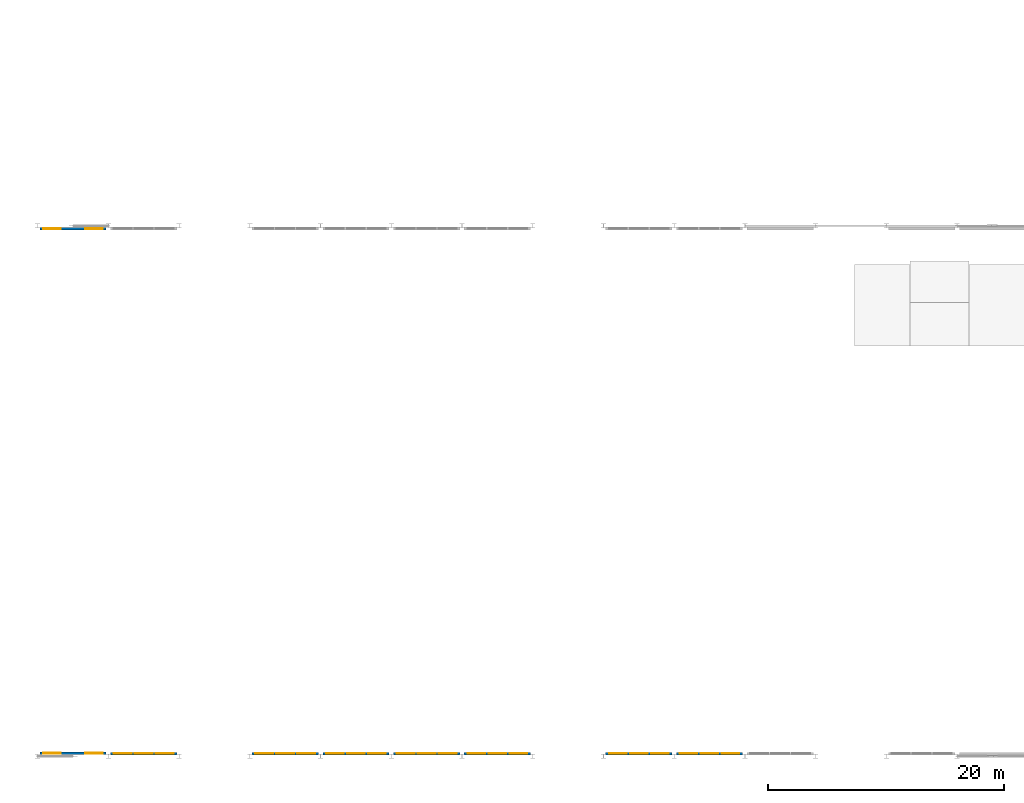
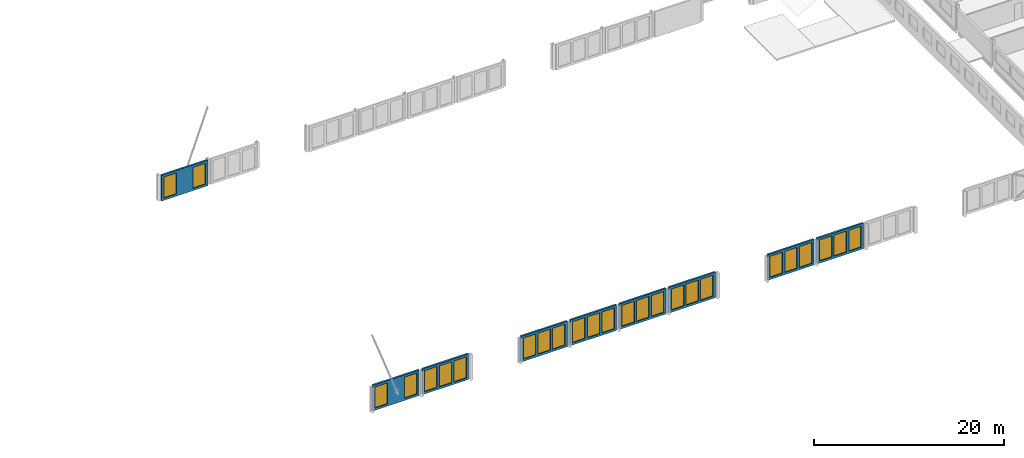
# One storey, part 43 of 198: 25 windows, 9 walls, 25 openings.
"""IFC4 building model written with IfcOpenShell, lengths in metres."""

from ifc_helpers import new_model, si_unit, direction, frame, frame_2d, origin, place, context, subcontext, project, spatial, rectangle, extrude, material, layer, layer_set, type_object, element, fill, save


model = new_model("IFC4")

# Units and contexts
model_context = context("Model", 3, precision=1e-05, world=origin(), true_north=direction((0.0, 1.0)))
body_context = subcontext(model_context, "Body", "Model", "MODEL_VIEW")
ifc_project = project(units=[si_unit("LENGTHUNIT", "METRE"), si_unit("AREAUNIT", "SQUARE_METRE"), si_unit("VOLUMEUNIT", "CUBIC_METRE"), si_unit("PLANEANGLEUNIT", "RADIAN"), si_unit("MASSUNIT", "GRAM", prefix="KILO")], contexts=[model_context])

# Site, building, storey
site_placement = place(None, origin())
site = spatial("IfcSite", under=ifc_project, at=site_placement, CompositionType="ELEMENT")
building_placement = place(site_placement, origin())
building = spatial("IfcBuilding", under=site, at=building_placement, Name="Parallax Yard Mobility Hub", CompositionType="ELEMENT")
storey_placement = place(building_placement, frame((0.0, 0.0, 6.60009765625)))
storey = spatial("IfcBuildingStorey", under=building, at=storey_placement, Name="L02", CompositionType="ELEMENT", Elevation=6.60009765625)

# Wall, openings, windows
ifc_material_1 = material(Name="Concrete fc' 35 MPa", Category="concrete")
ifc_layer = layer(ifc_material_1, 0.219970703125)
ifc_layer_set = layer_set([ifc_layer], Name="Gable panel, Concrete fc' 35 MPa precast, 220")
wall_type = type_object("IfcWallType", Name="Gable panel, Concrete fc' 35 MPa precast, 220", PredefinedType="SOLIDWALL", material=ifc_layer_set)
wall_1_placement = place(storey_placement, frame((9.1865234375, 7.74951171875, 0.0), z_axis=(0.0, 0.0, 1.0), x_axis=(1.0, 0.0, 0.0)))
wall_1 = element("IfcWall", 1, at=wall_1_placement, inside=storey, type_object=wall_type, Name="Bus and taxi deck south gable wall bay 1 level L02", PredefinedType="SOLIDWALL", context=body_context, shape_type="SweptSolid", body=[
    extrude(rectangle(XDim=5.626953125, YDim=0.219970703125, at=frame_2d((2.8134765625, 0.0))), origin(), (0.0, 0.0, 1.0), 3.2998046875),
])
opening_1_placement = place(wall_1_placement, frame((0.28173828125, 0.0, 0.300048828125)))
opening_1 = element("IfcOpeningElement", 2, at=opening_1_placement, cuts=wall_1, Name="Opening LV8", PredefinedType="OPENING", context=body_context, shape_type="SweptSolid", body=[
    extrude(rectangle(XDim=1.5, YDim=2.699951171875, at=frame_2d((0.75, 1.35009765625))), frame((0.0, 0.1201171875, 0.0), z_axis=(0.0, -1.0, 0.0), x_axis=(1.0, 0.0, 0.0)), (0.0, 0.0, 1.0), 0.239990234375),
])
opening_2_placement = place(wall_1_placement, frame((3.84521484375, 0.0, 0.300048828125)))
opening_2 = element("IfcOpeningElement", 3, at=opening_2_placement, cuts=wall_1, Name="Opening LV8", PredefinedType="OPENING", context=body_context, shape_type="SweptSolid", body=[
    extrude(rectangle(XDim=1.5, YDim=2.699951171875, at=frame_2d((0.75, 1.35009765625))), frame((0.0, 0.1201171875, 0.0), z_axis=(0.0, -1.0, 0.0), x_axis=(1.0, 0.0, 0.0)), (0.0, 0.0, 1.0), 0.239990234375),
])
ifc_material_2 = material(Name="Extruded aluminium storm louvre blades in a powder-coated frame", Category="aluminium")
window_type = type_object("IfcWindowType", Name="Storm louvre 1500 x 2700", PartitioningType="SINGLE_PANEL", PredefinedType="WINDOW", material=ifc_material_2)
window_1_placement = place(opening_1_placement, origin())
window_1 = element("IfcWindow", 4, at=window_1_placement, inside=storey, type_object=window_type, Name="LV8 louvre level L02", OverallHeight=2.699951171875, OverallWidth=1.5, PartitioningType="SINGLE_PANEL", PredefinedType="WINDOW", context=body_context, shape_type="SweptSolid", body=[
    extrude(rectangle(XDim=1.5, YDim=2.699951171875, at=frame_2d((0.75, 1.35009765625))), frame((0.0, 0.030029296875, 0.0), z_axis=(0.0, -1.0, 0.0), x_axis=(1.0, 0.0, 0.0)), (0.0, 0.0, 1.0), 0.06005859375),
])
fill(opening_1, window_1)
window_2_placement = place(opening_2_placement, origin())
window_2 = element("IfcWindow", 5, at=window_2_placement, inside=storey, type_object=window_type, Name="LV8 louvre level L02", OverallHeight=2.699951171875, OverallWidth=1.5, PartitioningType="SINGLE_PANEL", PredefinedType="WINDOW", context=body_context, shape_type="SweptSolid", body=[
    extrude(rectangle(XDim=1.5, YDim=2.699951171875, at=frame_2d((0.75, 1.35009765625))), frame((0.0, 0.030029296875, 0.0), z_axis=(0.0, -1.0, 0.0), x_axis=(1.0, 0.0, 0.0)), (0.0, 0.0, 1.0), 0.06005859375),
])
fill(opening_2, window_2)

wall_2_placement = place(storey_placement, frame((15.1865234375, 7.72412109375, 0.0), z_axis=(0.0, 0.0, 1.0), x_axis=(1.0, 0.0, 0.0)))
wall_2 = element("IfcWall", 6, at=wall_2_placement, inside=storey, type_object=wall_type, Name="Bus and taxi deck south gable wall bay 2 level L02", PredefinedType="SOLIDWALL", context=body_context, shape_type="SweptSolid", body=[
    extrude(rectangle(XDim=5.626953125, YDim=0.219970703125, at=frame_2d((2.8134765625, 0.0))), origin(), (0.0, 0.0, 1.0), 3.2998046875),
])
opening_3_placement = place(wall_2_placement, frame((0.28173828125, 0.0, 0.300048828125)))
opening_3 = element("IfcOpeningElement", 7, at=opening_3_placement, cuts=wall_2, Name="Opening LV8", PredefinedType="OPENING", context=body_context, shape_type="SweptSolid", body=[
    extrude(rectangle(XDim=1.5, YDim=2.699951171875, at=frame_2d((0.75, 1.35009765625))), frame((0.0, 0.1201171875, 0.0), z_axis=(0.0, -1.0, 0.0), x_axis=(1.0, 0.0, 0.0)), (0.0, 0.0, 1.0), 0.239990234375),
])
opening_4_placement = place(wall_2_placement, frame((2.0634765625, 0.0, 0.300048828125)))
opening_4 = element("IfcOpeningElement", 8, at=opening_4_placement, cuts=wall_2, Name="Opening LV8", PredefinedType="OPENING", context=body_context, shape_type="SweptSolid", body=[
    extrude(rectangle(XDim=1.5, YDim=2.699951171875, at=frame_2d((0.75, 1.35009765625))), frame((0.0, 0.1201171875, 0.0), z_axis=(0.0, -1.0, 0.0), x_axis=(1.0, 0.0, 0.0)), (0.0, 0.0, 1.0), 0.239990234375),
])
opening_5_placement = place(wall_2_placement, frame((3.84521484375, 0.0, 0.300048828125)))
opening_5 = element("IfcOpeningElement", 9, at=opening_5_placement, cuts=wall_2, Name="Opening LV8", PredefinedType="OPENING", context=body_context, shape_type="SweptSolid", body=[
    extrude(rectangle(XDim=1.5, YDim=2.699951171875, at=frame_2d((0.75, 1.35009765625))), frame((0.0, 0.1201171875, 0.0), z_axis=(0.0, -1.0, 0.0), x_axis=(1.0, 0.0, 0.0)), (0.0, 0.0, 1.0), 0.239990234375),
])
window_3_placement = place(opening_3_placement, origin())
window_3 = element("IfcWindow", 10, at=window_3_placement, inside=storey, type_object=window_type, Name="LV8 louvre level L02", OverallHeight=2.699951171875, OverallWidth=1.5, PartitioningType="SINGLE_PANEL", PredefinedType="WINDOW", context=body_context, shape_type="SweptSolid", body=[
    extrude(rectangle(XDim=1.5, YDim=2.699951171875, at=frame_2d((0.75, 1.35009765625))), frame((0.0, 0.030029296875, 0.0), z_axis=(0.0, -1.0, 0.0), x_axis=(1.0, 0.0, 0.0)), (0.0, 0.0, 1.0), 0.06005859375),
])
fill(opening_3, window_3)
window_4_placement = place(opening_4_placement, origin())
window_4 = element("IfcWindow", 11, at=window_4_placement, inside=storey, type_object=window_type, Name="LV8 louvre level L02", OverallHeight=2.699951171875, OverallWidth=1.5, PartitioningType="SINGLE_PANEL", PredefinedType="WINDOW", context=body_context, shape_type="SweptSolid", body=[
    extrude(rectangle(XDim=1.5, YDim=2.699951171875, at=frame_2d((0.75, 1.35009765625))), frame((0.0, 0.030029296875, 0.0), z_axis=(0.0, -1.0, 0.0), x_axis=(1.0, 0.0, 0.0)), (0.0, 0.0, 1.0), 0.06005859375),
])
fill(opening_4, window_4)
window_5_placement = place(opening_5_placement, origin())
window_5 = element("IfcWindow", 12, at=window_5_placement, inside=storey, type_object=window_type, Name="LV8 louvre level L02", OverallHeight=2.699951171875, OverallWidth=1.5, PartitioningType="SINGLE_PANEL", PredefinedType="WINDOW", context=body_context, shape_type="SweptSolid", body=[
    extrude(rectangle(XDim=1.5, YDim=2.699951171875, at=frame_2d((0.75, 1.35009765625))), frame((0.0, 0.030029296875, 0.0), z_axis=(0.0, -1.0, 0.0), x_axis=(1.0, 0.0, 0.0)), (0.0, 0.0, 1.0), 0.06005859375),
])
fill(opening_5, window_5)

wall_3_placement = place(storey_placement, frame((27.1865234375, 7.72412109375, 0.0), z_axis=(0.0, 0.0, 1.0), x_axis=(1.0, 0.0, 0.0)))
wall_3 = element("IfcWall", 13, at=wall_3_placement, inside=storey, type_object=wall_type, Name="Bus and taxi deck south gable wall bay 3 level L02", PredefinedType="SOLIDWALL", context=body_context, shape_type="SweptSolid", body=[
    extrude(rectangle(XDim=5.626953125, YDim=0.219970703125, at=frame_2d((2.8134765625, 0.0))), origin(), (0.0, 0.0, 1.0), 3.2998046875),
])
opening_6_placement = place(wall_3_placement, frame((0.28173828125, 0.0, 0.300048828125)))
opening_6 = element("IfcOpeningElement", 14, at=opening_6_placement, cuts=wall_3, Name="Opening LV8", PredefinedType="OPENING", context=body_context, shape_type="SweptSolid", body=[
    extrude(rectangle(XDim=1.5, YDim=2.699951171875, at=frame_2d((0.75, 1.35009765625))), frame((0.0, 0.1201171875, 0.0), z_axis=(0.0, -1.0, 0.0), x_axis=(1.0, 0.0, 0.0)), (0.0, 0.0, 1.0), 0.239990234375),
])
opening_7_placement = place(wall_3_placement, frame((2.0634765625, 0.0, 0.300048828125)))
opening_7 = element("IfcOpeningElement", 15, at=opening_7_placement, cuts=wall_3, Name="Opening LV8", PredefinedType="OPENING", context=body_context, shape_type="SweptSolid", body=[
    extrude(rectangle(XDim=1.5, YDim=2.699951171875, at=frame_2d((0.75, 1.35009765625))), frame((0.0, 0.1201171875, 0.0), z_axis=(0.0, -1.0, 0.0), x_axis=(1.0, 0.0, 0.0)), (0.0, 0.0, 1.0), 0.239990234375),
])
opening_8_placement = place(wall_3_placement, frame((3.84521484375, 0.0, 0.300048828125)))
opening_8 = element("IfcOpeningElement", 16, at=opening_8_placement, cuts=wall_3, Name="Opening LV8", PredefinedType="OPENING", context=body_context, shape_type="SweptSolid", body=[
    extrude(rectangle(XDim=1.5, YDim=2.699951171875, at=frame_2d((0.75, 1.35009765625))), frame((0.0, 0.1201171875, 0.0), z_axis=(0.0, -1.0, 0.0), x_axis=(1.0, 0.0, 0.0)), (0.0, 0.0, 1.0), 0.239990234375),
])
window_6_placement = place(opening_6_placement, origin())
window_6 = element("IfcWindow", 17, at=window_6_placement, inside=storey, type_object=window_type, Name="LV8 louvre level L02", OverallHeight=2.699951171875, OverallWidth=1.5, PartitioningType="SINGLE_PANEL", PredefinedType="WINDOW", context=body_context, shape_type="SweptSolid", body=[
    extrude(rectangle(XDim=1.5, YDim=2.699951171875, at=frame_2d((0.75, 1.35009765625))), frame((0.0, 0.030029296875, 0.0), z_axis=(0.0, -1.0, 0.0), x_axis=(1.0, 0.0, 0.0)), (0.0, 0.0, 1.0), 0.06005859375),
])
fill(opening_6, window_6)
window_7_placement = place(opening_7_placement, origin())
window_7 = element("IfcWindow", 18, at=window_7_placement, inside=storey, type_object=window_type, Name="LV8 louvre level L02", OverallHeight=2.699951171875, OverallWidth=1.5, PartitioningType="SINGLE_PANEL", PredefinedType="WINDOW", context=body_context, shape_type="SweptSolid", body=[
    extrude(rectangle(XDim=1.5, YDim=2.699951171875, at=frame_2d((0.75, 1.35009765625))), frame((0.0, 0.030029296875, 0.0), z_axis=(0.0, -1.0, 0.0), x_axis=(1.0, 0.0, 0.0)), (0.0, 0.0, 1.0), 0.06005859375),
])
fill(opening_7, window_7)
window_8_placement = place(opening_8_placement, origin())
window_8 = element("IfcWindow", 19, at=window_8_placement, inside=storey, type_object=window_type, Name="LV8 louvre level L02", OverallHeight=2.699951171875, OverallWidth=1.5, PartitioningType="SINGLE_PANEL", PredefinedType="WINDOW", context=body_context, shape_type="SweptSolid", body=[
    extrude(rectangle(XDim=1.5, YDim=2.699951171875, at=frame_2d((0.75, 1.35009765625))), frame((0.0, 0.030029296875, 0.0), z_axis=(0.0, -1.0, 0.0), x_axis=(1.0, 0.0, 0.0)), (0.0, 0.0, 1.0), 0.06005859375),
])
fill(opening_8, window_8)

wall_4_placement = place(storey_placement, frame((33.1865234375, 7.72412109375, 0.0), z_axis=(0.0, 0.0, 1.0), x_axis=(1.0, 0.0, 0.0)))
wall_4 = element("IfcWall", 20, at=wall_4_placement, inside=storey, type_object=wall_type, Name="Bus and taxi deck south gable wall bay 4 level L02", PredefinedType="SOLIDWALL", context=body_context, shape_type="SweptSolid", body=[
    extrude(rectangle(XDim=5.626953125, YDim=0.219970703125, at=frame_2d((2.8134765625, 0.0))), origin(), (0.0, 0.0, 1.0), 3.2998046875),
])
opening_9_placement = place(wall_4_placement, frame((0.28173828125, 0.0, 0.300048828125)))
opening_9 = element("IfcOpeningElement", 21, at=opening_9_placement, cuts=wall_4, Name="Opening LV8", PredefinedType="OPENING", context=body_context, shape_type="SweptSolid", body=[
    extrude(rectangle(XDim=1.5, YDim=2.699951171875, at=frame_2d((0.75, 1.35009765625))), frame((0.0, 0.1201171875, 0.0), z_axis=(0.0, -1.0, 0.0), x_axis=(1.0, 0.0, 0.0)), (0.0, 0.0, 1.0), 0.239990234375),
])
opening_10_placement = place(wall_4_placement, frame((2.0634765625, 0.0, 0.300048828125)))
opening_10 = element("IfcOpeningElement", 22, at=opening_10_placement, cuts=wall_4, Name="Opening LV8", PredefinedType="OPENING", context=body_context, shape_type="SweptSolid", body=[
    extrude(rectangle(XDim=1.5, YDim=2.699951171875, at=frame_2d((0.75, 1.35009765625))), frame((0.0, 0.1201171875, 0.0), z_axis=(0.0, -1.0, 0.0), x_axis=(1.0, 0.0, 0.0)), (0.0, 0.0, 1.0), 0.239990234375),
])
opening_11_placement = place(wall_4_placement, frame((3.84521484375, 0.0, 0.300048828125)))
opening_11 = element("IfcOpeningElement", 23, at=opening_11_placement, cuts=wall_4, Name="Opening LV8", PredefinedType="OPENING", context=body_context, shape_type="SweptSolid", body=[
    extrude(rectangle(XDim=1.5, YDim=2.699951171875, at=frame_2d((0.75, 1.35009765625))), frame((0.0, 0.1201171875, 0.0), z_axis=(0.0, -1.0, 0.0), x_axis=(1.0, 0.0, 0.0)), (0.0, 0.0, 1.0), 0.239990234375),
])
window_9_placement = place(opening_9_placement, origin())
window_9 = element("IfcWindow", 24, at=window_9_placement, inside=storey, type_object=window_type, Name="LV8 louvre level L02", OverallHeight=2.699951171875, OverallWidth=1.5, PartitioningType="SINGLE_PANEL", PredefinedType="WINDOW", context=body_context, shape_type="SweptSolid", body=[
    extrude(rectangle(XDim=1.5, YDim=2.699951171875, at=frame_2d((0.75, 1.35009765625))), frame((0.0, 0.030029296875, 0.0), z_axis=(0.0, -1.0, 0.0), x_axis=(1.0, 0.0, 0.0)), (0.0, 0.0, 1.0), 0.06005859375),
])
fill(opening_9, window_9)
window_10_placement = place(opening_10_placement, origin())
window_10 = element("IfcWindow", 25, at=window_10_placement, inside=storey, type_object=window_type, Name="LV8 louvre level L02", OverallHeight=2.699951171875, OverallWidth=1.5, PartitioningType="SINGLE_PANEL", PredefinedType="WINDOW", context=body_context, shape_type="SweptSolid", body=[
    extrude(rectangle(XDim=1.5, YDim=2.699951171875, at=frame_2d((0.75, 1.35009765625))), frame((0.0, 0.030029296875, 0.0), z_axis=(0.0, -1.0, 0.0), x_axis=(1.0, 0.0, 0.0)), (0.0, 0.0, 1.0), 0.06005859375),
])
fill(opening_10, window_10)
window_11_placement = place(opening_11_placement, origin())
window_11 = element("IfcWindow", 26, at=window_11_placement, inside=storey, type_object=window_type, Name="LV8 louvre level L02", OverallHeight=2.699951171875, OverallWidth=1.5, PartitioningType="SINGLE_PANEL", PredefinedType="WINDOW", context=body_context, shape_type="SweptSolid", body=[
    extrude(rectangle(XDim=1.5, YDim=2.699951171875, at=frame_2d((0.75, 1.35009765625))), frame((0.0, 0.030029296875, 0.0), z_axis=(0.0, -1.0, 0.0), x_axis=(1.0, 0.0, 0.0)), (0.0, 0.0, 1.0), 0.06005859375),
])
fill(opening_11, window_11)

wall_5_placement = place(storey_placement, frame((39.1865234375, 7.72412109375, 0.0), z_axis=(0.0, 0.0, 1.0), x_axis=(1.0, 0.0, 0.0)))
wall_5 = element("IfcWall", 27, at=wall_5_placement, inside=storey, type_object=wall_type, Name="Bus and taxi deck south gable wall bay 5 level L02", PredefinedType="SOLIDWALL", context=body_context, shape_type="SweptSolid", body=[
    extrude(rectangle(XDim=5.626953125, YDim=0.219970703125, at=frame_2d((2.8134765625, 0.0))), origin(), (0.0, 0.0, 1.0), 3.2998046875),
])
opening_12_placement = place(wall_5_placement, frame((0.28173828125, 0.0, 0.300048828125)))
opening_12 = element("IfcOpeningElement", 28, at=opening_12_placement, cuts=wall_5, Name="Opening LV8", PredefinedType="OPENING", context=body_context, shape_type="SweptSolid", body=[
    extrude(rectangle(XDim=1.5, YDim=2.699951171875, at=frame_2d((0.75, 1.35009765625))), frame((0.0, 0.1201171875, 0.0), z_axis=(0.0, -1.0, 0.0), x_axis=(1.0, 0.0, 0.0)), (0.0, 0.0, 1.0), 0.239990234375),
])
opening_13_placement = place(wall_5_placement, frame((2.0634765625, 0.0, 0.300048828125)))
opening_13 = element("IfcOpeningElement", 29, at=opening_13_placement, cuts=wall_5, Name="Opening LV8", PredefinedType="OPENING", context=body_context, shape_type="SweptSolid", body=[
    extrude(rectangle(XDim=1.5, YDim=2.699951171875, at=frame_2d((0.75, 1.35009765625))), frame((0.0, 0.1201171875, 0.0), z_axis=(0.0, -1.0, 0.0), x_axis=(1.0, 0.0, 0.0)), (0.0, 0.0, 1.0), 0.239990234375),
])
opening_14_placement = place(wall_5_placement, frame((3.84521484375, 0.0, 0.300048828125)))
opening_14 = element("IfcOpeningElement", 30, at=opening_14_placement, cuts=wall_5, Name="Opening LV8", PredefinedType="OPENING", context=body_context, shape_type="SweptSolid", body=[
    extrude(rectangle(XDim=1.5, YDim=2.699951171875, at=frame_2d((0.75, 1.35009765625))), frame((0.0, 0.1201171875, 0.0), z_axis=(0.0, -1.0, 0.0), x_axis=(1.0, 0.0, 0.0)), (0.0, 0.0, 1.0), 0.239990234375),
])
window_12_placement = place(opening_12_placement, origin())
window_12 = element("IfcWindow", 31, at=window_12_placement, inside=storey, type_object=window_type, Name="LV8 louvre level L02", OverallHeight=2.699951171875, OverallWidth=1.5, PartitioningType="SINGLE_PANEL", PredefinedType="WINDOW", context=body_context, shape_type="SweptSolid", body=[
    extrude(rectangle(XDim=1.5, YDim=2.699951171875, at=frame_2d((0.75, 1.35009765625))), frame((0.0, 0.030029296875, 0.0), z_axis=(0.0, -1.0, 0.0), x_axis=(1.0, 0.0, 0.0)), (0.0, 0.0, 1.0), 0.06005859375),
])
fill(opening_12, window_12)
window_13_placement = place(opening_13_placement, origin())
window_13 = element("IfcWindow", 32, at=window_13_placement, inside=storey, type_object=window_type, Name="LV8 louvre level L02", OverallHeight=2.699951171875, OverallWidth=1.5, PartitioningType="SINGLE_PANEL", PredefinedType="WINDOW", context=body_context, shape_type="SweptSolid", body=[
    extrude(rectangle(XDim=1.5, YDim=2.699951171875, at=frame_2d((0.75, 1.35009765625))), frame((0.0, 0.030029296875, 0.0), z_axis=(0.0, -1.0, 0.0), x_axis=(1.0, 0.0, 0.0)), (0.0, 0.0, 1.0), 0.06005859375),
])
fill(opening_13, window_13)
window_14_placement = place(opening_14_placement, origin())
window_14 = element("IfcWindow", 33, at=window_14_placement, inside=storey, type_object=window_type, Name="LV8 louvre level L02", OverallHeight=2.699951171875, OverallWidth=1.5, PartitioningType="SINGLE_PANEL", PredefinedType="WINDOW", context=body_context, shape_type="SweptSolid", body=[
    extrude(rectangle(XDim=1.5, YDim=2.699951171875, at=frame_2d((0.75, 1.35009765625))), frame((0.0, 0.030029296875, 0.0), z_axis=(0.0, -1.0, 0.0), x_axis=(1.0, 0.0, 0.0)), (0.0, 0.0, 1.0), 0.06005859375),
])
fill(opening_14, window_14)

wall_6_placement = place(storey_placement, frame((45.1865234375, 7.72412109375, 0.0), z_axis=(0.0, 0.0, 1.0), x_axis=(1.0, 0.0, 0.0)))
wall_6 = element("IfcWall", 34, at=wall_6_placement, inside=storey, type_object=wall_type, Name="Bus and taxi deck south gable wall bay 6 level L02", PredefinedType="SOLIDWALL", context=body_context, shape_type="SweptSolid", body=[
    extrude(rectangle(XDim=5.626953125, YDim=0.219970703125, at=frame_2d((2.8134765625, 0.0))), origin(), (0.0, 0.0, 1.0), 3.2998046875),
])
opening_15_placement = place(wall_6_placement, frame((0.28173828125, 0.0, 0.300048828125)))
opening_15 = element("IfcOpeningElement", 35, at=opening_15_placement, cuts=wall_6, Name="Opening LV8", PredefinedType="OPENING", context=body_context, shape_type="SweptSolid", body=[
    extrude(rectangle(XDim=1.5, YDim=2.699951171875, at=frame_2d((0.75, 1.35009765625))), frame((0.0, 0.1201171875, 0.0), z_axis=(0.0, -1.0, 0.0), x_axis=(1.0, 0.0, 0.0)), (0.0, 0.0, 1.0), 0.239990234375),
])
opening_16_placement = place(wall_6_placement, frame((2.0634765625, 0.0, 0.300048828125)))
opening_16 = element("IfcOpeningElement", 36, at=opening_16_placement, cuts=wall_6, Name="Opening LV8", PredefinedType="OPENING", context=body_context, shape_type="SweptSolid", body=[
    extrude(rectangle(XDim=1.5, YDim=2.699951171875, at=frame_2d((0.75, 1.35009765625))), frame((0.0, 0.1201171875, 0.0), z_axis=(0.0, -1.0, 0.0), x_axis=(1.0, 0.0, 0.0)), (0.0, 0.0, 1.0), 0.239990234375),
])
opening_17_placement = place(wall_6_placement, frame((3.84521484375, 0.0, 0.300048828125)))
opening_17 = element("IfcOpeningElement", 37, at=opening_17_placement, cuts=wall_6, Name="Opening LV8", PredefinedType="OPENING", context=body_context, shape_type="SweptSolid", body=[
    extrude(rectangle(XDim=1.5, YDim=2.699951171875, at=frame_2d((0.75, 1.35009765625))), frame((0.0, 0.1201171875, 0.0), z_axis=(0.0, -1.0, 0.0), x_axis=(1.0, 0.0, 0.0)), (0.0, 0.0, 1.0), 0.239990234375),
])
window_15_placement = place(opening_15_placement, origin())
window_15 = element("IfcWindow", 38, at=window_15_placement, inside=storey, type_object=window_type, Name="LV8 louvre level L02", OverallHeight=2.699951171875, OverallWidth=1.5, PartitioningType="SINGLE_PANEL", PredefinedType="WINDOW", context=body_context, shape_type="SweptSolid", body=[
    extrude(rectangle(XDim=1.5, YDim=2.699951171875, at=frame_2d((0.75, 1.35009765625))), frame((0.0, 0.030029296875, 0.0), z_axis=(0.0, -1.0, 0.0), x_axis=(1.0, 0.0, 0.0)), (0.0, 0.0, 1.0), 0.06005859375),
])
fill(opening_15, window_15)
window_16_placement = place(opening_16_placement, origin())
window_16 = element("IfcWindow", 39, at=window_16_placement, inside=storey, type_object=window_type, Name="LV8 louvre level L02", OverallHeight=2.699951171875, OverallWidth=1.5, PartitioningType="SINGLE_PANEL", PredefinedType="WINDOW", context=body_context, shape_type="SweptSolid", body=[
    extrude(rectangle(XDim=1.5, YDim=2.699951171875, at=frame_2d((0.75, 1.35009765625))), frame((0.0, 0.030029296875, 0.0), z_axis=(0.0, -1.0, 0.0), x_axis=(1.0, 0.0, 0.0)), (0.0, 0.0, 1.0), 0.06005859375),
])
fill(opening_16, window_16)
window_17_placement = place(opening_17_placement, origin())
window_17 = element("IfcWindow", 40, at=window_17_placement, inside=storey, type_object=window_type, Name="LV8 louvre level L02", OverallHeight=2.699951171875, OverallWidth=1.5, PartitioningType="SINGLE_PANEL", PredefinedType="WINDOW", context=body_context, shape_type="SweptSolid", body=[
    extrude(rectangle(XDim=1.5, YDim=2.699951171875, at=frame_2d((0.75, 1.35009765625))), frame((0.0, 0.030029296875, 0.0), z_axis=(0.0, -1.0, 0.0), x_axis=(1.0, 0.0, 0.0)), (0.0, 0.0, 1.0), 0.06005859375),
])
fill(opening_17, window_17)

wall_7_placement = place(storey_placement, frame((57.1865234375, 7.72412109375, 0.0), z_axis=(0.0, 0.0, 1.0), x_axis=(1.0, 0.0, 0.0)))
wall_7 = element("IfcWall", 41, at=wall_7_placement, inside=storey, type_object=wall_type, Name="Bus and taxi deck south gable wall bay 7 level L02", PredefinedType="SOLIDWALL", context=body_context, shape_type="SweptSolid", body=[
    extrude(rectangle(XDim=5.626953125, YDim=0.219970703125, at=frame_2d((2.8134765625, 0.0))), origin(), (0.0, 0.0, 1.0), 3.2998046875),
])
opening_18_placement = place(wall_7_placement, frame((0.28173828125, 0.0, 0.300048828125)))
opening_18 = element("IfcOpeningElement", 42, at=opening_18_placement, cuts=wall_7, Name="Opening LV8", PredefinedType="OPENING", context=body_context, shape_type="SweptSolid", body=[
    extrude(rectangle(XDim=1.5, YDim=2.699951171875, at=frame_2d((0.75, 1.35009765625))), frame((0.0, 0.1201171875, 0.0), z_axis=(0.0, -1.0, 0.0), x_axis=(1.0, 0.0, 0.0)), (0.0, 0.0, 1.0), 0.239990234375),
])
opening_19_placement = place(wall_7_placement, frame((2.0634765625, 0.0, 0.300048828125)))
opening_19 = element("IfcOpeningElement", 43, at=opening_19_placement, cuts=wall_7, Name="Opening LV8", PredefinedType="OPENING", context=body_context, shape_type="SweptSolid", body=[
    extrude(rectangle(XDim=1.5, YDim=2.699951171875, at=frame_2d((0.75, 1.35009765625))), frame((0.0, 0.1201171875, 0.0), z_axis=(0.0, -1.0, 0.0), x_axis=(1.0, 0.0, 0.0)), (0.0, 0.0, 1.0), 0.239990234375),
])
opening_20_placement = place(wall_7_placement, frame((3.84521484375, 0.0, 0.300048828125)))
opening_20 = element("IfcOpeningElement", 44, at=opening_20_placement, cuts=wall_7, Name="Opening LV8", PredefinedType="OPENING", context=body_context, shape_type="SweptSolid", body=[
    extrude(rectangle(XDim=1.5, YDim=2.699951171875, at=frame_2d((0.75, 1.35009765625))), frame((0.0, 0.1201171875, 0.0), z_axis=(0.0, -1.0, 0.0), x_axis=(1.0, 0.0, 0.0)), (0.0, 0.0, 1.0), 0.239990234375),
])
window_18_placement = place(opening_18_placement, origin())
window_18 = element("IfcWindow", 45, at=window_18_placement, inside=storey, type_object=window_type, Name="LV8 louvre level L02", OverallHeight=2.699951171875, OverallWidth=1.5, PartitioningType="SINGLE_PANEL", PredefinedType="WINDOW", context=body_context, shape_type="SweptSolid", body=[
    extrude(rectangle(XDim=1.5, YDim=2.699951171875, at=frame_2d((0.75, 1.35009765625))), frame((0.0, 0.030029296875, 0.0), z_axis=(0.0, -1.0, 0.0), x_axis=(1.0, 0.0, 0.0)), (0.0, 0.0, 1.0), 0.06005859375),
])
fill(opening_18, window_18)
window_19_placement = place(opening_19_placement, origin())
window_19 = element("IfcWindow", 46, at=window_19_placement, inside=storey, type_object=window_type, Name="LV8 louvre level L02", OverallHeight=2.699951171875, OverallWidth=1.5, PartitioningType="SINGLE_PANEL", PredefinedType="WINDOW", context=body_context, shape_type="SweptSolid", body=[
    extrude(rectangle(XDim=1.5, YDim=2.699951171875, at=frame_2d((0.75, 1.35009765625))), frame((0.0, 0.030029296875, 0.0), z_axis=(0.0, -1.0, 0.0), x_axis=(1.0, 0.0, 0.0)), (0.0, 0.0, 1.0), 0.06005859375),
])
fill(opening_19, window_19)
window_20_placement = place(opening_20_placement, origin())
window_20 = element("IfcWindow", 47, at=window_20_placement, inside=storey, type_object=window_type, Name="LV8 louvre level L02", OverallHeight=2.699951171875, OverallWidth=1.5, PartitioningType="SINGLE_PANEL", PredefinedType="WINDOW", context=body_context, shape_type="SweptSolid", body=[
    extrude(rectangle(XDim=1.5, YDim=2.699951171875, at=frame_2d((0.75, 1.35009765625))), frame((0.0, 0.030029296875, 0.0), z_axis=(0.0, -1.0, 0.0), x_axis=(1.0, 0.0, 0.0)), (0.0, 0.0, 1.0), 0.06005859375),
])
fill(opening_20, window_20)

wall_8_placement = place(storey_placement, frame((63.1865234375, 7.72412109375, 0.0), z_axis=(0.0, 0.0, 1.0), x_axis=(1.0, 0.0, 0.0)))
wall_8 = element("IfcWall", 48, at=wall_8_placement, inside=storey, type_object=wall_type, Name="Bus and taxi deck south gable wall bay 8 level L02", PredefinedType="SOLIDWALL", context=body_context, shape_type="SweptSolid", body=[
    extrude(rectangle(XDim=5.626953125, YDim=0.219970703125, at=frame_2d((2.8134765625, 0.0))), origin(), (0.0, 0.0, 1.0), 3.2998046875),
])
opening_21_placement = place(wall_8_placement, frame((0.28173828125, 0.0, 0.300048828125)))
opening_21 = element("IfcOpeningElement", 49, at=opening_21_placement, cuts=wall_8, Name="Opening LV8", PredefinedType="OPENING", context=body_context, shape_type="SweptSolid", body=[
    extrude(rectangle(XDim=1.5, YDim=2.699951171875, at=frame_2d((0.75, 1.35009765625))), frame((0.0, 0.1201171875, 0.0), z_axis=(0.0, -1.0, 0.0), x_axis=(1.0, 0.0, 0.0)), (0.0, 0.0, 1.0), 0.239990234375),
])
opening_22_placement = place(wall_8_placement, frame((2.0634765625, 0.0, 0.300048828125)))
opening_22 = element("IfcOpeningElement", 50, at=opening_22_placement, cuts=wall_8, Name="Opening LV8", PredefinedType="OPENING", context=body_context, shape_type="SweptSolid", body=[
    extrude(rectangle(XDim=1.5, YDim=2.699951171875, at=frame_2d((0.75, 1.35009765625))), frame((0.0, 0.1201171875, 0.0), z_axis=(0.0, -1.0, 0.0), x_axis=(1.0, 0.0, 0.0)), (0.0, 0.0, 1.0), 0.239990234375),
])
opening_23_placement = place(wall_8_placement, frame((3.84521484375, 0.0, 0.300048828125)))
opening_23 = element("IfcOpeningElement", 51, at=opening_23_placement, cuts=wall_8, Name="Opening LV8", PredefinedType="OPENING", context=body_context, shape_type="SweptSolid", body=[
    extrude(rectangle(XDim=1.5, YDim=2.699951171875, at=frame_2d((0.75, 1.35009765625))), frame((0.0, 0.1201171875, 0.0), z_axis=(0.0, -1.0, 0.0), x_axis=(1.0, 0.0, 0.0)), (0.0, 0.0, 1.0), 0.239990234375),
])
window_21_placement = place(opening_21_placement, origin())
window_21 = element("IfcWindow", 52, at=window_21_placement, inside=storey, type_object=window_type, Name="LV8 louvre level L02", OverallHeight=2.699951171875, OverallWidth=1.5, PartitioningType="SINGLE_PANEL", PredefinedType="WINDOW", context=body_context, shape_type="SweptSolid", body=[
    extrude(rectangle(XDim=1.5, YDim=2.699951171875, at=frame_2d((0.75, 1.35009765625))), frame((0.0, 0.030029296875, 0.0), z_axis=(0.0, -1.0, 0.0), x_axis=(1.0, 0.0, 0.0)), (0.0, 0.0, 1.0), 0.06005859375),
])
fill(opening_21, window_21)
window_22_placement = place(opening_22_placement, origin())
window_22 = element("IfcWindow", 53, at=window_22_placement, inside=storey, type_object=window_type, Name="LV8 louvre level L02", OverallHeight=2.699951171875, OverallWidth=1.5, PartitioningType="SINGLE_PANEL", PredefinedType="WINDOW", context=body_context, shape_type="SweptSolid", body=[
    extrude(rectangle(XDim=1.5, YDim=2.699951171875, at=frame_2d((0.75, 1.35009765625))), frame((0.0, 0.030029296875, 0.0), z_axis=(0.0, -1.0, 0.0), x_axis=(1.0, 0.0, 0.0)), (0.0, 0.0, 1.0), 0.06005859375),
])
fill(opening_22, window_22)
window_23_placement = place(opening_23_placement, origin())
window_23 = element("IfcWindow", 54, at=window_23_placement, inside=storey, type_object=window_type, Name="LV8 louvre level L02", OverallHeight=2.699951171875, OverallWidth=1.5, PartitioningType="SINGLE_PANEL", PredefinedType="WINDOW", context=body_context, shape_type="SweptSolid", body=[
    extrude(rectangle(XDim=1.5, YDim=2.699951171875, at=frame_2d((0.75, 1.35009765625))), frame((0.0, 0.030029296875, 0.0), z_axis=(0.0, -1.0, 0.0), x_axis=(1.0, 0.0, 0.0)), (0.0, 0.0, 1.0), 0.06005859375),
])
fill(opening_23, window_23)

wall_9_placement = place(storey_placement, frame((9.1865234375, 52.25048828125, 0.0), z_axis=(0.0, 0.0, 1.0), x_axis=(1.0, 0.0, 0.0)))
wall_9 = element("IfcWall", 55, at=wall_9_placement, inside=storey, type_object=wall_type, Name="Bus and taxi deck north gable wall bay 1 level L02", PredefinedType="SOLIDWALL", context=body_context, shape_type="SweptSolid", body=[
    extrude(rectangle(XDim=5.626953125, YDim=0.219970703125, at=frame_2d((2.8134765625, 0.0))), origin(), (0.0, 0.0, 1.0), 3.2998046875),
])
opening_24_placement = place(wall_9_placement, frame((0.28173828125, 0.0, 0.300048828125)))
opening_24 = element("IfcOpeningElement", 56, at=opening_24_placement, cuts=wall_9, Name="Opening LV8", PredefinedType="OPENING", context=body_context, shape_type="SweptSolid", body=[
    extrude(rectangle(XDim=1.5, YDim=2.699951171875, at=frame_2d((0.75, 1.35009765625))), frame((0.0, 0.1201171875, 0.0), z_axis=(0.0, -1.0, 0.0), x_axis=(1.0, 0.0, 0.0)), (0.0, 0.0, 1.0), 0.239990234375),
])
opening_25_placement = place(wall_9_placement, frame((3.84521484375, 0.0, 0.300048828125)))
opening_25 = element("IfcOpeningElement", 57, at=opening_25_placement, cuts=wall_9, Name="Opening LV8", PredefinedType="OPENING", context=body_context, shape_type="SweptSolid", body=[
    extrude(rectangle(XDim=1.5, YDim=2.699951171875, at=frame_2d((0.75, 1.35009765625))), frame((0.0, 0.1201171875, 0.0), z_axis=(0.0, -1.0, 0.0), x_axis=(1.0, 0.0, 0.0)), (0.0, 0.0, 1.0), 0.239990234375),
])
window_24_placement = place(opening_24_placement, origin())
window_24 = element("IfcWindow", 58, at=window_24_placement, inside=storey, type_object=window_type, Name="LV8 louvre level L02", OverallHeight=2.699951171875, OverallWidth=1.5, PartitioningType="SINGLE_PANEL", PredefinedType="WINDOW", context=body_context, shape_type="SweptSolid", body=[
    extrude(rectangle(XDim=1.5, YDim=2.699951171875, at=frame_2d((0.75, 1.35009765625))), frame((0.0, 0.030029296875, 0.0), z_axis=(0.0, -1.0, 0.0), x_axis=(1.0, 0.0, 0.0)), (0.0, 0.0, 1.0), 0.06005859375),
])
fill(opening_24, window_24)
window_25_placement = place(opening_25_placement, origin())
window_25 = element("IfcWindow", 59, at=window_25_placement, inside=storey, type_object=window_type, Name="LV8 louvre level L02", OverallHeight=2.699951171875, OverallWidth=1.5, PartitioningType="SINGLE_PANEL", PredefinedType="WINDOW", context=body_context, shape_type="SweptSolid", body=[
    extrude(rectangle(XDim=1.5, YDim=2.699951171875, at=frame_2d((0.75, 1.35009765625))), frame((0.0, 0.030029296875, 0.0), z_axis=(0.0, -1.0, 0.0), x_axis=(1.0, 0.0, 0.0)), (0.0, 0.0, 1.0), 0.06005859375),
])
fill(opening_25, window_25)

save(model, "model.ifc")
